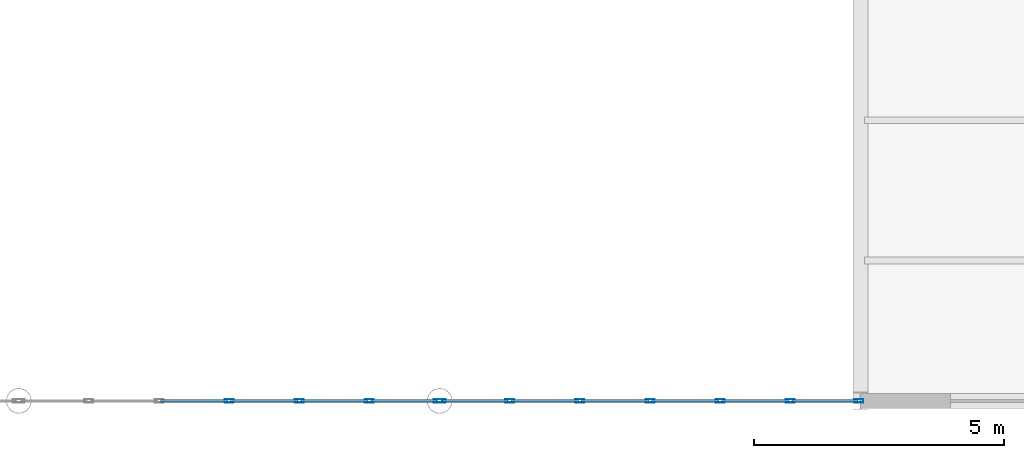
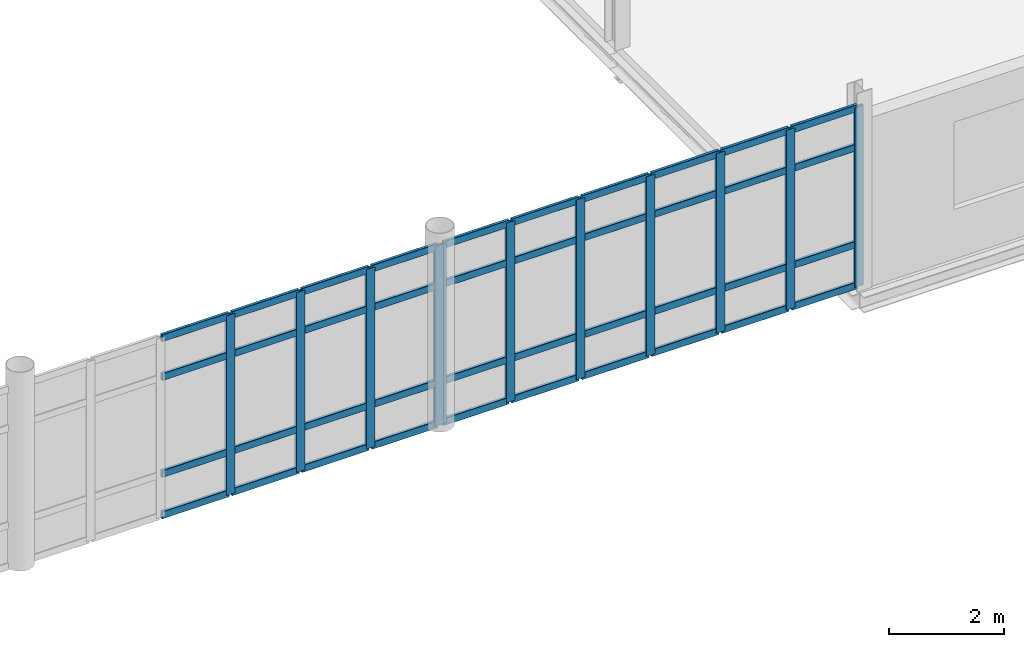
# One storey, part 62 of 163: 51 members, 2 elements without a shape of their own.
"""IFC4 building model written with IfcOpenShell, lengths in metres."""

from ifc_helpers import new_model, si_unit, direction, frame, origin, origin_2d, place, context, subcontext, project, spatial, hollow_rectangle, extrude, material, layer, layer_set, material_profile, profile_set, type_object, element, aggregate, save


model = new_model("IFC4")

# Units and contexts
model_context = context("Model", 3, precision=1e-05, world=origin(), true_north=direction((0.0, 1.0)))
body_context = subcontext(model_context, "Body", "Model", "MODEL_VIEW")
ifc_project = project(units=[si_unit("LENGTHUNIT", "METRE"), si_unit("AREAUNIT", "SQUARE_METRE"), si_unit("VOLUMEUNIT", "CUBIC_METRE"), si_unit("PLANEANGLEUNIT", "RADIAN"), si_unit("MASSUNIT", "GRAM", prefix="KILO")], contexts=[model_context])

# Site, building, storey
site_placement = place(None, origin())
site = spatial("IfcSite", under=ifc_project, at=site_placement, CompositionType="ELEMENT")
building_placement = place(site_placement, origin())
building = spatial("IfcBuilding", under=site, at=building_placement, Name="Qalvenar Corner Mobility Hub", CompositionType="ELEMENT")
storey_placement = place(building_placement, frame((0.0, 0.0, 4.800048828125)))
storey = spatial("IfcBuildingStorey", under=building, at=storey_placement, Name="L01", CompositionType="ELEMENT", Elevation=4.800048828125)

# Curtain wall, members
ifc_material_1 = material(Name="Anodised Aluminium and Low-E Glazing", Category="aluminium")
ifc_layer = layer(ifc_material_1, 0.179931640625)
ifc_layer_set = layer_set([ifc_layer], Name="Anodised Aluminium and Low-E Glazing")
curtain_wall_type = type_object("IfcCurtainWallType", Name="CW-CONC-84X42", PredefinedType="NOTDEFINED", material=ifc_layer_set)
curtain_wall_1_placement = place(storey_placement, origin())
curtain_wall_1 = element("IfcCurtainWall", 1, at=curtain_wall_1_placement, inside=storey, type_object=curtain_wall_type, Name="Glazed Curtain Wall CW-V1-L01-S5", PredefinedType="NOTDEFINED")
ifc_material_2 = material(Name="Anodised Aluminium 6063-T6", Category="aluminium")
ifc_material_profile_1 = material_profile(ifc_material_2, hollow_rectangle(XDim=0.06494140625, YDim=0.179931640625, WallThickness=0.00390625, InnerFilletRadius=0.00390625, OuterFilletRadius=0.008056640625, at=origin_2d()), Name="RHS180x65x4")
ifc_profile_set_1 = profile_set([ifc_material_profile_1], Name="Anodised Aluminium 6063-T6")
member_type_1 = type_object("IfcMemberType", Name="CW-MUL180", PredefinedType="MULLION", material=ifc_profile_set_1)
member_1_placement = place(storey_placement, frame((96.60009765625, 0.0, 0.0), z_axis=(0.0, 0.0, 1.0), x_axis=(0.0, 1.0, 0.0)))
member_1 = element("IfcMember", 2, at=member_1_placement, type_object=member_type_1, Name="CW-02 mullion 4", PredefinedType="MULLION", context=body_context, shape_type="SweptSolid", body=[
    extrude(hollow_rectangle(XDim=0.06494140625, YDim=0.179931640625, WallThickness=0.00390625, InnerFilletRadius=0.00390625, OuterFilletRadius=0.008056640625, at=origin_2d()), origin(), (0.0, 0.0, 1.0), 3.800048828125),
])
member_2_placement = place(storey_placement, frame((98.0, 0.0, 0.0), z_axis=(0.0, 0.0, 1.0), x_axis=(0.0, 1.0, 0.0)))
member_2 = element("IfcMember", 3, at=member_2_placement, type_object=member_type_1, Name="CW-02 mullion 5", PredefinedType="MULLION", context=body_context, shape_type="SweptSolid", body=[
    extrude(hollow_rectangle(XDim=0.06494140625, YDim=0.179931640625, WallThickness=0.00390625, InnerFilletRadius=0.00390625, OuterFilletRadius=0.008056640625, at=origin_2d()), origin(), (0.0, 0.0, 1.0), 3.800048828125),
])
member_3_placement = place(storey_placement, frame((99.39990234375, 0.0, 0.0), z_axis=(0.0, 0.0, 1.0), x_axis=(0.0, 1.0, 0.0)))
member_3 = element("IfcMember", 4, at=member_3_placement, type_object=member_type_1, Name="CW-02 mullion 6", PredefinedType="MULLION", context=body_context, shape_type="SweptSolid", body=[
    extrude(hollow_rectangle(XDim=0.06494140625, YDim=0.179931640625, WallThickness=0.00390625, InnerFilletRadius=0.00390625, OuterFilletRadius=0.008056640625, at=origin_2d()), origin(), (0.0, 0.0, 1.0), 3.800048828125),
])
member_4_placement = place(storey_placement, frame((100.77001953125, 0.0, 0.0), z_axis=(0.0, 0.0, 1.0), x_axis=(0.0, 1.0, 0.0)))
member_4 = element("IfcMember", 5, at=member_4_placement, type_object=member_type_1, Name="CW-02 mullion 7", PredefinedType="MULLION", context=body_context, shape_type="SweptSolid", body=[
    extrude(hollow_rectangle(XDim=0.06494140625, YDim=0.179931640625, WallThickness=0.00390625, InnerFilletRadius=0.00390625, OuterFilletRadius=0.008056640625, at=origin_2d()), origin(), (0.0, 0.0, 1.0), 3.800048828125),
])

curtain_wall_2_placement = place(storey_placement, origin())
curtain_wall_2 = element("IfcCurtainWall", 6, at=curtain_wall_2_placement, inside=storey, type_object=curtain_wall_type, Name="Glazed Curtain Wall CW-V1-L01-S6", PredefinedType="NOTDEFINED")
member_5_placement = place(storey_placement, frame((100.830078125, 0.0, 0.0), z_axis=(0.0, 0.0, 1.0), x_axis=(0.0, 1.0, 0.0)))
member_5 = element("IfcMember", 7, at=member_5_placement, type_object=member_type_1, Name="CW-02 mullion 1", PredefinedType="MULLION", context=body_context, shape_type="SweptSolid", body=[
    extrude(hollow_rectangle(XDim=0.06494140625, YDim=0.179931640625, WallThickness=0.00390625, InnerFilletRadius=0.00390625, OuterFilletRadius=0.008056640625, at=origin_2d()), origin(), (0.0, 0.0, 1.0), 3.800048828125),
])
member_6_placement = place(storey_placement, frame((102.199951171875, 0.0, 0.0), z_axis=(0.0, 0.0, 1.0), x_axis=(0.0, 1.0, 0.0)))
member_6 = element("IfcMember", 8, at=member_6_placement, type_object=member_type_1, Name="CW-02 mullion 2", PredefinedType="MULLION", context=body_context, shape_type="SweptSolid", body=[
    extrude(hollow_rectangle(XDim=0.06494140625, YDim=0.179931640625, WallThickness=0.00390625, InnerFilletRadius=0.00390625, OuterFilletRadius=0.008056640625, at=origin_2d()), origin(), (0.0, 0.0, 1.0), 3.800048828125),
])
member_7_placement = place(storey_placement, frame((103.60009765625, 0.0, 0.0), z_axis=(0.0, 0.0, 1.0), x_axis=(0.0, 1.0, 0.0)))
member_7 = element("IfcMember", 9, at=member_7_placement, type_object=member_type_1, Name="CW-02 mullion 3", PredefinedType="MULLION", context=body_context, shape_type="SweptSolid", body=[
    extrude(hollow_rectangle(XDim=0.06494140625, YDim=0.179931640625, WallThickness=0.00390625, InnerFilletRadius=0.00390625, OuterFilletRadius=0.008056640625, at=origin_2d()), origin(), (0.0, 0.0, 1.0), 3.800048828125),
])
member_8_placement = place(storey_placement, frame((105.0, 0.0, 0.0), z_axis=(0.0, 0.0, 1.0), x_axis=(0.0, 1.0, 0.0)))
member_8 = element("IfcMember", 10, at=member_8_placement, type_object=member_type_1, Name="CW-02 mullion 4", PredefinedType="MULLION", context=body_context, shape_type="SweptSolid", body=[
    extrude(hollow_rectangle(XDim=0.06494140625, YDim=0.179931640625, WallThickness=0.00390625, InnerFilletRadius=0.00390625, OuterFilletRadius=0.008056640625, at=origin_2d()), origin(), (0.0, 0.0, 1.0), 3.800048828125),
])
member_9_placement = place(storey_placement, frame((106.39990234375, 0.0, 0.0), z_axis=(0.0, 0.0, 1.0), x_axis=(0.0, 1.0, 0.0)))
member_9 = element("IfcMember", 11, at=member_9_placement, type_object=member_type_1, Name="CW-02 mullion 5", PredefinedType="MULLION", context=body_context, shape_type="SweptSolid", body=[
    extrude(hollow_rectangle(XDim=0.06494140625, YDim=0.179931640625, WallThickness=0.00390625, InnerFilletRadius=0.00390625, OuterFilletRadius=0.008056640625, at=origin_2d()), origin(), (0.0, 0.0, 1.0), 3.800048828125),
])
member_10_placement = place(storey_placement, frame((107.800048828125, 0.0, 0.0), z_axis=(0.0, 0.0, 1.0), x_axis=(0.0, 1.0, 0.0)))
member_10 = element("IfcMember", 12, at=member_10_placement, type_object=member_type_1, Name="CW-02 mullion 6", PredefinedType="MULLION", context=body_context, shape_type="SweptSolid", body=[
    extrude(hollow_rectangle(XDim=0.06494140625, YDim=0.179931640625, WallThickness=0.00390625, InnerFilletRadius=0.00390625, OuterFilletRadius=0.008056640625, at=origin_2d()), origin(), (0.0, 0.0, 1.0), 3.800048828125),
])
member_11_placement = place(storey_placement, frame((109.169921875, 0.0, 0.0), z_axis=(0.0, 0.0, 1.0), x_axis=(0.0, 1.0, 0.0)))
member_11 = element("IfcMember", 13, at=member_11_placement, type_object=member_type_1, Name="CW-02 mullion 7", PredefinedType="MULLION", context=body_context, shape_type="SweptSolid", body=[
    extrude(hollow_rectangle(XDim=0.06494140625, YDim=0.179931640625, WallThickness=0.00390625, InnerFilletRadius=0.00390625, OuterFilletRadius=0.008056640625, at=origin_2d()), origin(), (0.0, 0.0, 1.0), 3.800048828125),
])

# Member
ifc_material_profile_2 = material_profile(ifc_material_2, hollow_rectangle(XDim=0.06005859375, YDim=0.14990234375, WallThickness=0.00341796875, InnerFilletRadius=0.00341796875, OuterFilletRadius=0.007080078125, at=origin_2d()), Name="RHS150x60x3.5")
ifc_profile_set_2 = profile_set([ifc_material_profile_2], Name="Anodised Aluminium 6063-T6")
member_type_2 = type_object("IfcMemberType", Name="CW-TRN150", PredefinedType="USERDEFINED", material=ifc_profile_set_2)
member_12_placement = place(storey_placement, frame((95.22998046875, 0.0, 0.02734375), z_axis=(1.0, 0.0, 0.0), x_axis=(0.0, 1.0, 0.0)))
member_12 = element("IfcMember", 14, at=member_12_placement, type_object=member_type_2, Name="CW-02 transom 3.1", ObjectType="TRANSOM", PredefinedType="USERDEFINED", context=body_context, shape_type="SweptSolid", body=[
    extrude(hollow_rectangle(XDim=0.06005859375, YDim=0.14990234375, WallThickness=0.00341796875, InnerFilletRadius=0.00341796875, OuterFilletRadius=0.007080078125, at=origin_2d()), origin(), (0.0, 0.0, 1.0), 1.340087890625),
])

member_13_placement = place(storey_placement, frame((95.22998046875, 0.0, 0.89990234375), z_axis=(1.0, 0.0, 0.0), x_axis=(0.0, 1.0, 0.0)))
member_13 = element("IfcMember", 15, at=member_13_placement, type_object=member_type_2, Name="CW-02 transom 3.2", ObjectType="TRANSOM", PredefinedType="USERDEFINED", context=body_context, shape_type="SweptSolid", body=[
    extrude(hollow_rectangle(XDim=0.06005859375, YDim=0.14990234375, WallThickness=0.00341796875, InnerFilletRadius=0.00341796875, OuterFilletRadius=0.007080078125, at=origin_2d()), origin(), (0.0, 0.0, 1.0), 1.340087890625),
])

member_14_placement = place(storey_placement, frame((95.22998046875, 0.0, 2.949951171875), z_axis=(1.0, 0.0, 0.0), x_axis=(0.0, 1.0, 0.0)))
member_14 = element("IfcMember", 16, at=member_14_placement, type_object=member_type_2, Name="CW-02 transom 3.3", ObjectType="TRANSOM", PredefinedType="USERDEFINED", context=body_context, shape_type="SweptSolid", body=[
    extrude(hollow_rectangle(XDim=0.06005859375, YDim=0.14990234375, WallThickness=0.00341796875, InnerFilletRadius=0.00341796875, OuterFilletRadius=0.007080078125, at=origin_2d()), origin(), (0.0, 0.0, 1.0), 1.340087890625),
])

member_15_placement = place(storey_placement, frame((95.22998046875, 0.0, 3.7724609375), z_axis=(1.0, 0.0, 0.0), x_axis=(0.0, 1.0, 0.0)))
member_15 = element("IfcMember", 17, at=member_15_placement, type_object=member_type_2, Name="CW-02 transom 3.4", ObjectType="TRANSOM", PredefinedType="USERDEFINED", context=body_context, shape_type="SweptSolid", body=[
    extrude(hollow_rectangle(XDim=0.06005859375, YDim=0.14990234375, WallThickness=0.00341796875, InnerFilletRadius=0.00341796875, OuterFilletRadius=0.007080078125, at=origin_2d()), origin(), (0.0, 0.0, 1.0), 1.340087890625),
])

member_16_placement = place(storey_placement, frame((96.6298828125, 0.0, 0.02734375), z_axis=(1.0, 0.0, 0.0), x_axis=(0.0, 1.0, 0.0)))
member_16 = element("IfcMember", 18, at=member_16_placement, type_object=member_type_2, Name="CW-02 transom 4.1", ObjectType="TRANSOM", PredefinedType="USERDEFINED", context=body_context, shape_type="SweptSolid", body=[
    extrude(hollow_rectangle(XDim=0.06005859375, YDim=0.14990234375, WallThickness=0.00341796875, InnerFilletRadius=0.00341796875, OuterFilletRadius=0.007080078125, at=origin_2d()), origin(), (0.0, 0.0, 1.0), 1.340087890625),
])

member_17_placement = place(storey_placement, frame((96.6298828125, 0.0, 0.89990234375), z_axis=(1.0, 0.0, 0.0), x_axis=(0.0, 1.0, 0.0)))
member_17 = element("IfcMember", 19, at=member_17_placement, type_object=member_type_2, Name="CW-02 transom 4.2", ObjectType="TRANSOM", PredefinedType="USERDEFINED", context=body_context, shape_type="SweptSolid", body=[
    extrude(hollow_rectangle(XDim=0.06005859375, YDim=0.14990234375, WallThickness=0.00341796875, InnerFilletRadius=0.00341796875, OuterFilletRadius=0.007080078125, at=origin_2d()), origin(), (0.0, 0.0, 1.0), 1.340087890625),
])

member_18_placement = place(storey_placement, frame((96.6298828125, 0.0, 2.949951171875), z_axis=(1.0, 0.0, 0.0), x_axis=(0.0, 1.0, 0.0)))
member_18 = element("IfcMember", 20, at=member_18_placement, type_object=member_type_2, Name="CW-02 transom 4.3", ObjectType="TRANSOM", PredefinedType="USERDEFINED", context=body_context, shape_type="SweptSolid", body=[
    extrude(hollow_rectangle(XDim=0.06005859375, YDim=0.14990234375, WallThickness=0.00341796875, InnerFilletRadius=0.00341796875, OuterFilletRadius=0.007080078125, at=origin_2d()), origin(), (0.0, 0.0, 1.0), 1.340087890625),
])

member_19_placement = place(storey_placement, frame((96.6298828125, 0.0, 3.7724609375), z_axis=(1.0, 0.0, 0.0), x_axis=(0.0, 1.0, 0.0)))
member_19 = element("IfcMember", 21, at=member_19_placement, type_object=member_type_2, Name="CW-02 transom 4.4", ObjectType="TRANSOM", PredefinedType="USERDEFINED", context=body_context, shape_type="SweptSolid", body=[
    extrude(hollow_rectangle(XDim=0.06005859375, YDim=0.14990234375, WallThickness=0.00341796875, InnerFilletRadius=0.00341796875, OuterFilletRadius=0.007080078125, at=origin_2d()), origin(), (0.0, 0.0, 1.0), 1.340087890625),
])

member_20_placement = place(storey_placement, frame((98.030029296875, 0.0, 0.02734375), z_axis=(1.0, 0.0, 0.0), x_axis=(0.0, 1.0, 0.0)))
member_20 = element("IfcMember", 22, at=member_20_placement, type_object=member_type_2, Name="CW-02 transom 5.1", ObjectType="TRANSOM", PredefinedType="USERDEFINED", context=body_context, shape_type="SweptSolid", body=[
    extrude(hollow_rectangle(XDim=0.06005859375, YDim=0.14990234375, WallThickness=0.00341796875, InnerFilletRadius=0.00341796875, OuterFilletRadius=0.007080078125, at=origin_2d()), origin(), (0.0, 0.0, 1.0), 1.340087890625),
])

member_21_placement = place(storey_placement, frame((98.030029296875, 0.0, 0.89990234375), z_axis=(1.0, 0.0, 0.0), x_axis=(0.0, 1.0, 0.0)))
member_21 = element("IfcMember", 23, at=member_21_placement, type_object=member_type_2, Name="CW-02 transom 5.2", ObjectType="TRANSOM", PredefinedType="USERDEFINED", context=body_context, shape_type="SweptSolid", body=[
    extrude(hollow_rectangle(XDim=0.06005859375, YDim=0.14990234375, WallThickness=0.00341796875, InnerFilletRadius=0.00341796875, OuterFilletRadius=0.007080078125, at=origin_2d()), origin(), (0.0, 0.0, 1.0), 1.340087890625),
])

member_22_placement = place(storey_placement, frame((98.030029296875, 0.0, 2.949951171875), z_axis=(1.0, 0.0, 0.0), x_axis=(0.0, 1.0, 0.0)))
member_22 = element("IfcMember", 24, at=member_22_placement, type_object=member_type_2, Name="CW-02 transom 5.3", ObjectType="TRANSOM", PredefinedType="USERDEFINED", context=body_context, shape_type="SweptSolid", body=[
    extrude(hollow_rectangle(XDim=0.06005859375, YDim=0.14990234375, WallThickness=0.00341796875, InnerFilletRadius=0.00341796875, OuterFilletRadius=0.007080078125, at=origin_2d()), origin(), (0.0, 0.0, 1.0), 1.340087890625),
])

member_23_placement = place(storey_placement, frame((98.030029296875, 0.0, 3.7724609375), z_axis=(1.0, 0.0, 0.0), x_axis=(0.0, 1.0, 0.0)))
member_23 = element("IfcMember", 25, at=member_23_placement, type_object=member_type_2, Name="CW-02 transom 5.4", ObjectType="TRANSOM", PredefinedType="USERDEFINED", context=body_context, shape_type="SweptSolid", body=[
    extrude(hollow_rectangle(XDim=0.06005859375, YDim=0.14990234375, WallThickness=0.00341796875, InnerFilletRadius=0.00341796875, OuterFilletRadius=0.007080078125, at=origin_2d()), origin(), (0.0, 0.0, 1.0), 1.340087890625),
])

member_24_placement = place(storey_placement, frame((99.429931640625, 0.0, 0.02734375), z_axis=(1.0, 0.0, 0.0), x_axis=(0.0, 1.0, 0.0)))
member_24 = element("IfcMember", 26, at=member_24_placement, type_object=member_type_2, Name="CW-02 transom 6.1", ObjectType="TRANSOM", PredefinedType="USERDEFINED", context=body_context, shape_type="SweptSolid", body=[
    extrude(hollow_rectangle(XDim=0.06005859375, YDim=0.14990234375, WallThickness=0.00341796875, InnerFilletRadius=0.00341796875, OuterFilletRadius=0.007080078125, at=origin_2d()), origin(), (0.0, 0.0, 1.0), 1.31005859375),
])

member_25_placement = place(storey_placement, frame((99.429931640625, 0.0, 0.89990234375), z_axis=(1.0, 0.0, 0.0), x_axis=(0.0, 1.0, 0.0)))
member_25 = element("IfcMember", 27, at=member_25_placement, type_object=member_type_2, Name="CW-02 transom 6.2", ObjectType="TRANSOM", PredefinedType="USERDEFINED", context=body_context, shape_type="SweptSolid", body=[
    extrude(hollow_rectangle(XDim=0.06005859375, YDim=0.14990234375, WallThickness=0.00341796875, InnerFilletRadius=0.00341796875, OuterFilletRadius=0.007080078125, at=origin_2d()), origin(), (0.0, 0.0, 1.0), 1.31005859375),
])

member_26_placement = place(storey_placement, frame((99.429931640625, 0.0, 2.949951171875), z_axis=(1.0, 0.0, 0.0), x_axis=(0.0, 1.0, 0.0)))
member_26 = element("IfcMember", 28, at=member_26_placement, type_object=member_type_2, Name="CW-02 transom 6.3", ObjectType="TRANSOM", PredefinedType="USERDEFINED", context=body_context, shape_type="SweptSolid", body=[
    extrude(hollow_rectangle(XDim=0.06005859375, YDim=0.14990234375, WallThickness=0.00341796875, InnerFilletRadius=0.00341796875, OuterFilletRadius=0.007080078125, at=origin_2d()), origin(), (0.0, 0.0, 1.0), 1.31005859375),
])

member_27_placement = place(storey_placement, frame((99.429931640625, 0.0, 3.7724609375), z_axis=(1.0, 0.0, 0.0), x_axis=(0.0, 1.0, 0.0)))
member_27 = element("IfcMember", 29, at=member_27_placement, type_object=member_type_2, Name="CW-02 transom 6.4", ObjectType="TRANSOM", PredefinedType="USERDEFINED", context=body_context, shape_type="SweptSolid", body=[
    extrude(hollow_rectangle(XDim=0.06005859375, YDim=0.14990234375, WallThickness=0.00341796875, InnerFilletRadius=0.00341796875, OuterFilletRadius=0.007080078125, at=origin_2d()), origin(), (0.0, 0.0, 1.0), 1.31005859375),
])

aggregate(curtain_wall_1, [member_1, member_2, member_3, member_4, member_12, member_13, member_14, member_15, member_16, member_17, member_18, member_19, member_20, member_21, member_22, member_23, member_24, member_25, member_26, member_27])

member_28_placement = place(storey_placement, frame((100.860107421875, 0.0, 0.02734375), z_axis=(1.0, 0.0, 0.0), x_axis=(0.0, 1.0, 0.0)))
member_28 = element("IfcMember", 30, at=member_28_placement, type_object=member_type_2, Name="CW-02 transom 1.1", ObjectType="TRANSOM", PredefinedType="USERDEFINED", context=body_context, shape_type="SweptSolid", body=[
    extrude(hollow_rectangle(XDim=0.06005859375, YDim=0.14990234375, WallThickness=0.00341796875, InnerFilletRadius=0.00341796875, OuterFilletRadius=0.007080078125, at=origin_2d()), origin(), (0.0, 0.0, 1.0), 1.309814453125),
])

member_29_placement = place(storey_placement, frame((100.860107421875, 0.0, 0.89990234375), z_axis=(1.0, 0.0, 0.0), x_axis=(0.0, 1.0, 0.0)))
member_29 = element("IfcMember", 31, at=member_29_placement, type_object=member_type_2, Name="CW-02 transom 1.2", ObjectType="TRANSOM", PredefinedType="USERDEFINED", context=body_context, shape_type="SweptSolid", body=[
    extrude(hollow_rectangle(XDim=0.06005859375, YDim=0.14990234375, WallThickness=0.00341796875, InnerFilletRadius=0.00341796875, OuterFilletRadius=0.007080078125, at=origin_2d()), origin(), (0.0, 0.0, 1.0), 1.309814453125),
])

member_30_placement = place(storey_placement, frame((100.860107421875, 0.0, 2.949951171875), z_axis=(1.0, 0.0, 0.0), x_axis=(0.0, 1.0, 0.0)))
member_30 = element("IfcMember", 32, at=member_30_placement, type_object=member_type_2, Name="CW-02 transom 1.3", ObjectType="TRANSOM", PredefinedType="USERDEFINED", context=body_context, shape_type="SweptSolid", body=[
    extrude(hollow_rectangle(XDim=0.06005859375, YDim=0.14990234375, WallThickness=0.00341796875, InnerFilletRadius=0.00341796875, OuterFilletRadius=0.007080078125, at=origin_2d()), origin(), (0.0, 0.0, 1.0), 1.309814453125),
])

member_31_placement = place(storey_placement, frame((100.860107421875, 0.0, 3.7724609375), z_axis=(1.0, 0.0, 0.0), x_axis=(0.0, 1.0, 0.0)))
member_31 = element("IfcMember", 33, at=member_31_placement, type_object=member_type_2, Name="CW-02 transom 1.4", ObjectType="TRANSOM", PredefinedType="USERDEFINED", context=body_context, shape_type="SweptSolid", body=[
    extrude(hollow_rectangle(XDim=0.06005859375, YDim=0.14990234375, WallThickness=0.00341796875, InnerFilletRadius=0.00341796875, OuterFilletRadius=0.007080078125, at=origin_2d()), origin(), (0.0, 0.0, 1.0), 1.309814453125),
])

member_32_placement = place(storey_placement, frame((102.22998046875, 0.0, 0.02734375), z_axis=(1.0, 0.0, 0.0), x_axis=(0.0, 1.0, 0.0)))
member_32 = element("IfcMember", 34, at=member_32_placement, type_object=member_type_2, Name="CW-02 transom 2.1", ObjectType="TRANSOM", PredefinedType="USERDEFINED", context=body_context, shape_type="SweptSolid", body=[
    extrude(hollow_rectangle(XDim=0.06005859375, YDim=0.14990234375, WallThickness=0.00341796875, InnerFilletRadius=0.00341796875, OuterFilletRadius=0.007080078125, at=origin_2d()), origin(), (0.0, 0.0, 1.0), 1.340087890625),
])

member_33_placement = place(storey_placement, frame((102.22998046875, 0.0, 0.89990234375), z_axis=(1.0, 0.0, 0.0), x_axis=(0.0, 1.0, 0.0)))
member_33 = element("IfcMember", 35, at=member_33_placement, type_object=member_type_2, Name="CW-02 transom 2.2", ObjectType="TRANSOM", PredefinedType="USERDEFINED", context=body_context, shape_type="SweptSolid", body=[
    extrude(hollow_rectangle(XDim=0.06005859375, YDim=0.14990234375, WallThickness=0.00341796875, InnerFilletRadius=0.00341796875, OuterFilletRadius=0.007080078125, at=origin_2d()), origin(), (0.0, 0.0, 1.0), 1.340087890625),
])

member_34_placement = place(storey_placement, frame((102.22998046875, 0.0, 2.949951171875), z_axis=(1.0, 0.0, 0.0), x_axis=(0.0, 1.0, 0.0)))
member_34 = element("IfcMember", 36, at=member_34_placement, type_object=member_type_2, Name="CW-02 transom 2.3", ObjectType="TRANSOM", PredefinedType="USERDEFINED", context=body_context, shape_type="SweptSolid", body=[
    extrude(hollow_rectangle(XDim=0.06005859375, YDim=0.14990234375, WallThickness=0.00341796875, InnerFilletRadius=0.00341796875, OuterFilletRadius=0.007080078125, at=origin_2d()), origin(), (0.0, 0.0, 1.0), 1.340087890625),
])

member_35_placement = place(storey_placement, frame((102.22998046875, 0.0, 3.7724609375), z_axis=(1.0, 0.0, 0.0), x_axis=(0.0, 1.0, 0.0)))
member_35 = element("IfcMember", 37, at=member_35_placement, type_object=member_type_2, Name="CW-02 transom 2.4", ObjectType="TRANSOM", PredefinedType="USERDEFINED", context=body_context, shape_type="SweptSolid", body=[
    extrude(hollow_rectangle(XDim=0.06005859375, YDim=0.14990234375, WallThickness=0.00341796875, InnerFilletRadius=0.00341796875, OuterFilletRadius=0.007080078125, at=origin_2d()), origin(), (0.0, 0.0, 1.0), 1.340087890625),
])

member_36_placement = place(storey_placement, frame((103.6298828125, 0.0, 0.02734375), z_axis=(1.0, 0.0, 0.0), x_axis=(0.0, 1.0, 0.0)))
member_36 = element("IfcMember", 38, at=member_36_placement, type_object=member_type_2, Name="CW-02 transom 3.1", ObjectType="TRANSOM", PredefinedType="USERDEFINED", context=body_context, shape_type="SweptSolid", body=[
    extrude(hollow_rectangle(XDim=0.06005859375, YDim=0.14990234375, WallThickness=0.00341796875, InnerFilletRadius=0.00341796875, OuterFilletRadius=0.007080078125, at=origin_2d()), origin(), (0.0, 0.0, 1.0), 1.340087890625),
])

member_37_placement = place(storey_placement, frame((103.6298828125, 0.0, 0.89990234375), z_axis=(1.0, 0.0, 0.0), x_axis=(0.0, 1.0, 0.0)))
member_37 = element("IfcMember", 39, at=member_37_placement, type_object=member_type_2, Name="CW-02 transom 3.2", ObjectType="TRANSOM", PredefinedType="USERDEFINED", context=body_context, shape_type="SweptSolid", body=[
    extrude(hollow_rectangle(XDim=0.06005859375, YDim=0.14990234375, WallThickness=0.00341796875, InnerFilletRadius=0.00341796875, OuterFilletRadius=0.007080078125, at=origin_2d()), origin(), (0.0, 0.0, 1.0), 1.340087890625),
])

member_38_placement = place(storey_placement, frame((103.6298828125, 0.0, 2.949951171875), z_axis=(1.0, 0.0, 0.0), x_axis=(0.0, 1.0, 0.0)))
member_38 = element("IfcMember", 40, at=member_38_placement, type_object=member_type_2, Name="CW-02 transom 3.3", ObjectType="TRANSOM", PredefinedType="USERDEFINED", context=body_context, shape_type="SweptSolid", body=[
    extrude(hollow_rectangle(XDim=0.06005859375, YDim=0.14990234375, WallThickness=0.00341796875, InnerFilletRadius=0.00341796875, OuterFilletRadius=0.007080078125, at=origin_2d()), origin(), (0.0, 0.0, 1.0), 1.340087890625),
])

member_39_placement = place(storey_placement, frame((103.6298828125, 0.0, 3.7724609375), z_axis=(1.0, 0.0, 0.0), x_axis=(0.0, 1.0, 0.0)))
member_39 = element("IfcMember", 41, at=member_39_placement, type_object=member_type_2, Name="CW-02 transom 3.4", ObjectType="TRANSOM", PredefinedType="USERDEFINED", context=body_context, shape_type="SweptSolid", body=[
    extrude(hollow_rectangle(XDim=0.06005859375, YDim=0.14990234375, WallThickness=0.00341796875, InnerFilletRadius=0.00341796875, OuterFilletRadius=0.007080078125, at=origin_2d()), origin(), (0.0, 0.0, 1.0), 1.340087890625),
])

member_40_placement = place(storey_placement, frame((105.030029296875, 0.0, 0.02734375), z_axis=(1.0, 0.0, 0.0), x_axis=(0.0, 1.0, 0.0)))
member_40 = element("IfcMember", 42, at=member_40_placement, type_object=member_type_2, Name="CW-02 transom 4.1", ObjectType="TRANSOM", PredefinedType="USERDEFINED", context=body_context, shape_type="SweptSolid", body=[
    extrude(hollow_rectangle(XDim=0.06005859375, YDim=0.14990234375, WallThickness=0.00341796875, InnerFilletRadius=0.00341796875, OuterFilletRadius=0.007080078125, at=origin_2d()), origin(), (0.0, 0.0, 1.0), 1.340087890625),
])

member_41_placement = place(storey_placement, frame((105.030029296875, 0.0, 0.89990234375), z_axis=(1.0, 0.0, 0.0), x_axis=(0.0, 1.0, 0.0)))
member_41 = element("IfcMember", 43, at=member_41_placement, type_object=member_type_2, Name="CW-02 transom 4.2", ObjectType="TRANSOM", PredefinedType="USERDEFINED", context=body_context, shape_type="SweptSolid", body=[
    extrude(hollow_rectangle(XDim=0.06005859375, YDim=0.14990234375, WallThickness=0.00341796875, InnerFilletRadius=0.00341796875, OuterFilletRadius=0.007080078125, at=origin_2d()), origin(), (0.0, 0.0, 1.0), 1.340087890625),
])

member_42_placement = place(storey_placement, frame((105.030029296875, 0.0, 2.949951171875), z_axis=(1.0, 0.0, 0.0), x_axis=(0.0, 1.0, 0.0)))
member_42 = element("IfcMember", 44, at=member_42_placement, type_object=member_type_2, Name="CW-02 transom 4.3", ObjectType="TRANSOM", PredefinedType="USERDEFINED", context=body_context, shape_type="SweptSolid", body=[
    extrude(hollow_rectangle(XDim=0.06005859375, YDim=0.14990234375, WallThickness=0.00341796875, InnerFilletRadius=0.00341796875, OuterFilletRadius=0.007080078125, at=origin_2d()), origin(), (0.0, 0.0, 1.0), 1.340087890625),
])

member_43_placement = place(storey_placement, frame((105.030029296875, 0.0, 3.7724609375), z_axis=(1.0, 0.0, 0.0), x_axis=(0.0, 1.0, 0.0)))
member_43 = element("IfcMember", 45, at=member_43_placement, type_object=member_type_2, Name="CW-02 transom 4.4", ObjectType="TRANSOM", PredefinedType="USERDEFINED", context=body_context, shape_type="SweptSolid", body=[
    extrude(hollow_rectangle(XDim=0.06005859375, YDim=0.14990234375, WallThickness=0.00341796875, InnerFilletRadius=0.00341796875, OuterFilletRadius=0.007080078125, at=origin_2d()), origin(), (0.0, 0.0, 1.0), 1.340087890625),
])

member_44_placement = place(storey_placement, frame((106.429931640625, 0.0, 0.02734375), z_axis=(1.0, 0.0, 0.0), x_axis=(0.0, 1.0, 0.0)))
member_44 = element("IfcMember", 46, at=member_44_placement, type_object=member_type_2, Name="CW-02 transom 5.1", ObjectType="TRANSOM", PredefinedType="USERDEFINED", context=body_context, shape_type="SweptSolid", body=[
    extrude(hollow_rectangle(XDim=0.06005859375, YDim=0.14990234375, WallThickness=0.00341796875, InnerFilletRadius=0.00341796875, OuterFilletRadius=0.007080078125, at=origin_2d()), origin(), (0.0, 0.0, 1.0), 1.340087890625),
])

member_45_placement = place(storey_placement, frame((106.429931640625, 0.0, 0.89990234375), z_axis=(1.0, 0.0, 0.0), x_axis=(0.0, 1.0, 0.0)))
member_45 = element("IfcMember", 47, at=member_45_placement, type_object=member_type_2, Name="CW-02 transom 5.2", ObjectType="TRANSOM", PredefinedType="USERDEFINED", context=body_context, shape_type="SweptSolid", body=[
    extrude(hollow_rectangle(XDim=0.06005859375, YDim=0.14990234375, WallThickness=0.00341796875, InnerFilletRadius=0.00341796875, OuterFilletRadius=0.007080078125, at=origin_2d()), origin(), (0.0, 0.0, 1.0), 1.340087890625),
])

member_46_placement = place(storey_placement, frame((106.429931640625, 0.0, 2.949951171875), z_axis=(1.0, 0.0, 0.0), x_axis=(0.0, 1.0, 0.0)))
member_46 = element("IfcMember", 48, at=member_46_placement, type_object=member_type_2, Name="CW-02 transom 5.3", ObjectType="TRANSOM", PredefinedType="USERDEFINED", context=body_context, shape_type="SweptSolid", body=[
    extrude(hollow_rectangle(XDim=0.06005859375, YDim=0.14990234375, WallThickness=0.00341796875, InnerFilletRadius=0.00341796875, OuterFilletRadius=0.007080078125, at=origin_2d()), origin(), (0.0, 0.0, 1.0), 1.340087890625),
])

member_47_placement = place(storey_placement, frame((106.429931640625, 0.0, 3.7724609375), z_axis=(1.0, 0.0, 0.0), x_axis=(0.0, 1.0, 0.0)))
member_47 = element("IfcMember", 49, at=member_47_placement, type_object=member_type_2, Name="CW-02 transom 5.4", ObjectType="TRANSOM", PredefinedType="USERDEFINED", context=body_context, shape_type="SweptSolid", body=[
    extrude(hollow_rectangle(XDim=0.06005859375, YDim=0.14990234375, WallThickness=0.00341796875, InnerFilletRadius=0.00341796875, OuterFilletRadius=0.007080078125, at=origin_2d()), origin(), (0.0, 0.0, 1.0), 1.340087890625),
])

member_48_placement = place(storey_placement, frame((107.830078125, 0.0, 0.02734375), z_axis=(1.0, 0.0, 0.0), x_axis=(0.0, 1.0, 0.0)))
member_48 = element("IfcMember", 50, at=member_48_placement, type_object=member_type_2, Name="CW-02 transom 6.1", ObjectType="TRANSOM", PredefinedType="USERDEFINED", context=body_context, shape_type="SweptSolid", body=[
    extrude(hollow_rectangle(XDim=0.06005859375, YDim=0.14990234375, WallThickness=0.00341796875, InnerFilletRadius=0.00341796875, OuterFilletRadius=0.007080078125, at=origin_2d()), origin(), (0.0, 0.0, 1.0), 1.309814453125),
])

member_49_placement = place(storey_placement, frame((107.830078125, 0.0, 0.89990234375), z_axis=(1.0, 0.0, 0.0), x_axis=(0.0, 1.0, 0.0)))
member_49 = element("IfcMember", 51, at=member_49_placement, type_object=member_type_2, Name="CW-02 transom 6.2", ObjectType="TRANSOM", PredefinedType="USERDEFINED", context=body_context, shape_type="SweptSolid", body=[
    extrude(hollow_rectangle(XDim=0.06005859375, YDim=0.14990234375, WallThickness=0.00341796875, InnerFilletRadius=0.00341796875, OuterFilletRadius=0.007080078125, at=origin_2d()), origin(), (0.0, 0.0, 1.0), 1.309814453125),
])

member_50_placement = place(storey_placement, frame((107.830078125, 0.0, 2.949951171875), z_axis=(1.0, 0.0, 0.0), x_axis=(0.0, 1.0, 0.0)))
member_50 = element("IfcMember", 52, at=member_50_placement, type_object=member_type_2, Name="CW-02 transom 6.3", ObjectType="TRANSOM", PredefinedType="USERDEFINED", context=body_context, shape_type="SweptSolid", body=[
    extrude(hollow_rectangle(XDim=0.06005859375, YDim=0.14990234375, WallThickness=0.00341796875, InnerFilletRadius=0.00341796875, OuterFilletRadius=0.007080078125, at=origin_2d()), origin(), (0.0, 0.0, 1.0), 1.309814453125),
])

member_51_placement = place(storey_placement, frame((107.830078125, 0.0, 3.7724609375), z_axis=(1.0, 0.0, 0.0), x_axis=(0.0, 1.0, 0.0)))
member_51 = element("IfcMember", 53, at=member_51_placement, type_object=member_type_2, Name="CW-02 transom 6.4", ObjectType="TRANSOM", PredefinedType="USERDEFINED", context=body_context, shape_type="SweptSolid", body=[
    extrude(hollow_rectangle(XDim=0.06005859375, YDim=0.14990234375, WallThickness=0.00341796875, InnerFilletRadius=0.00341796875, OuterFilletRadius=0.007080078125, at=origin_2d()), origin(), (0.0, 0.0, 1.0), 1.309814453125),
])

aggregate(curtain_wall_2, [member_5, member_6, member_7, member_8, member_9, member_10, member_11, member_28, member_29, member_30, member_31, member_32, member_33, member_34, member_35, member_36, member_37, member_38, member_39, member_40, member_41, member_42, member_43, member_44, member_45, member_46, member_47, member_48, member_49, member_50, member_51])

save(model, "model.ifc")
